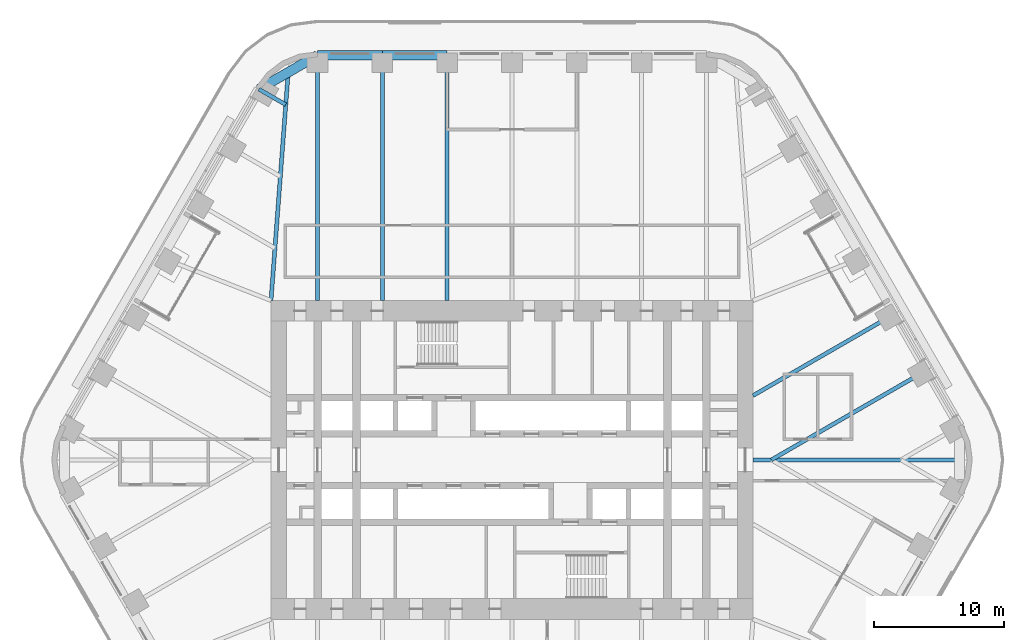
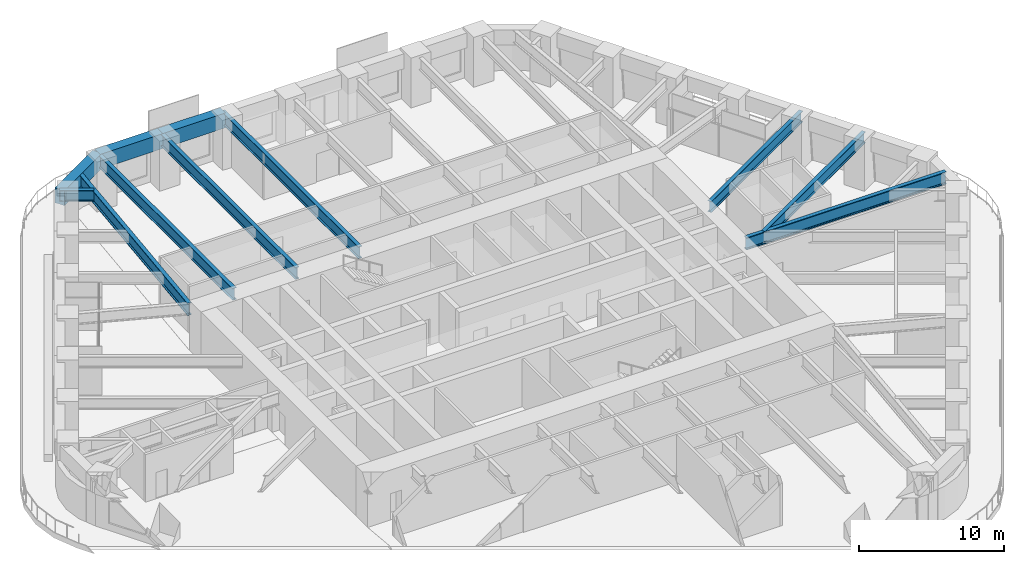
# One storey, part 10 of 24: 11 beams.
"""IFC4 building model written with IfcOpenShell, lengths in metres."""

import ifcopenshell
import ifcopenshell.guid

model = None  # the IFC model being written
_history = None  # IfcOwnerHistory: only IFC2X3 demands one
_inside = {}  # id of a spatial element -> (the spatial element, [elements in it])
_under = {}  # id of a project, library or spatial element -> (it, [spatial elements below it])
_declared = {}  # id of a project -> (the project, [libraries it declares])
_typed = {}  # id of a type object -> (the type object, [elements of that type])
_made_of = {}  # id of a material, layer set ... -> (it, [elements and type objects made of it])


def new_model(schema):
    """Start an empty IFC model of exactly this schema.

    Asked for "IFC4X3", IfcOpenShell would pick the latest addendum, in which some entities
    have other attributes; the version numbers below select the first issue.
    IFC2X3 requires an IfcOwnerHistory on every rooted entity: one is made here for all.
    """
    global model, _history
    if schema == "IFC4X3":
        model = ifcopenshell.file(schema_version=(4, 3, 0, 0))
    else:
        model = ifcopenshell.file(schema=schema)
    _inside.clear()
    _under.clear()
    _declared.clear()
    _typed.clear()
    _made_of.clear()
    _history = None
    if model.schema == "IFC2X3":
        org = make("IfcOrganization", Name="unknown")
        user = make(
            "IfcPersonAndOrganization",
            ThePerson=make("IfcPerson", FamilyName="unknown"),
            TheOrganization=org,
        )
        app = make(
            "IfcApplication",
            ApplicationDeveloper=org,
            Version="unknown",
            ApplicationFullName="unknown",
            ApplicationIdentifier="unknown",
        )
        _history = make(
            "IfcOwnerHistory",
            OwningUser=user,
            OwningApplication=app,
            ChangeAction="ADDED",
            CreationDate=0,
        )
    return model


def make(cls, **values):
    """One entity of the class cls with the attributes given. An attribute that is None is left unset."""
    return model.create_entity(
        cls, **{name: value for name, value in values.items() if value is not None}
    )


def rooted(cls, **values):
    """An entity with a GlobalId (a new one), such as an element, a storey or a relation."""
    return make(cls, GlobalId=ifcopenshell.guid.new(), OwnerHistory=_history, **values)


def si_unit(unit_type, name, prefix=None):
    """IfcSIUnit, for example si_unit("LENGTHUNIT", "METRE", prefix="MILLI")."""
    return make("IfcSIUnit", UnitType=unit_type, Prefix=prefix, Name=name)


def assignment(units):
    """IfcUnitAssignment: the units of a project."""
    return None if units is None else make("IfcUnitAssignment", Units=units)


def point(xyz):
    """IfcCartesianPoint."""
    return None if xyz is None else make("IfcCartesianPoint", Coordinates=xyz)


def direction(xyz):
    """IfcDirection."""
    return None if xyz is None else make("IfcDirection", DirectionRatios=xyz)


def frame(location, z_axis=None, x_axis=None):
    """IfcAxis2Placement3D, a coordinate frame: its origin and axes. An axis left out is left unset."""
    return make(
        "IfcAxis2Placement3D",
        Location=point(location),
        Axis=direction(z_axis),
        RefDirection=direction(x_axis),
    )


def frame_2d(location, x_axis=None):
    """IfcAxis2Placement2D, a coordinate frame in the plane: its origin and x axis."""
    return make(
        "IfcAxis2Placement2D", Location=point(location), RefDirection=direction(x_axis)
    )


def origin():
    """The frame at (0, 0, 0) with its axes left unset."""
    return frame((0.0, 0.0, 0.0))


def origin_2d():
    """The frame at (0, 0) in the plane with its x axis left unset."""
    return frame_2d((0.0, 0.0))


def place(relative_to, where):
    """IfcLocalPlacement: puts the frame where relative to a parent placement (None: the world)."""
    return make(
        "IfcLocalPlacement", PlacementRelTo=relative_to, RelativePlacement=where
    )


def context(
    kind, dimensions, precision=None, world=None, true_north=None, identifier=None
):
    """IfcGeometricRepresentationContext, for example the 3D "Model" context."""
    return make(
        "IfcGeometricRepresentationContext",
        ContextIdentifier=identifier,
        ContextType=kind,
        CoordinateSpaceDimension=dimensions,
        Precision=precision,
        WorldCoordinateSystem=world,
        TrueNorth=true_north,
    )


def subcontext(parent, identifier, kind, view, scale=None):
    """IfcGeometricRepresentationSubContext, for example "Body" below "Model"."""
    return make(
        "IfcGeometricRepresentationSubContext",
        ContextIdentifier=identifier,
        ContextType=kind,
        ParentContext=parent,
        TargetScale=scale,
        TargetView=view,
    )


def project(units=None, contexts=None):
    """IfcProject with its units and contexts."""
    return rooted(
        "IfcProject",
        Name="project",
        RepresentationContexts=contexts,
        UnitsInContext=assignment(units),
    )


def spatial(cls, under=None, at=None, **own):
    """A site, building, storey or space (cls), placed at a placement, below another one or the project."""
    s = rooted(cls, ObjectPlacement=at, **own)
    if under is not None:
        _under.setdefault(under.id(), (under, []))[1].append(s)
    return s


def profile(cls, at=None, kind="AREA", **sizes):
    """A parametric profile (cls). Its sizes go by their IFC names, for example OverallWidth=200.0."""
    return make(cls, ProfileType=kind, Position=at, **sizes)


def rectangle(**sizes):
    """IfcRectangleProfileDef."""
    return profile("IfcRectangleProfileDef", **sizes)


def i_section(**sizes):
    """IfcIShapeProfileDef."""
    return profile("IfcIShapeProfileDef", **sizes)


def extrude(swept, where, along, depth):
    """IfcExtrudedAreaSolid: the profile swept, set in the frame where, extruded along a direction by depth."""
    return make(
        "IfcExtrudedAreaSolid",
        SweptArea=swept,
        Position=where,
        ExtrudedDirection=direction(along),
        Depth=depth,
    )


def shape(context_of_items, identifier, shape_type, items):
    """IfcShapeRepresentation: the items that make up one representation, for example the "Body"."""
    return make(
        "IfcShapeRepresentation",
        ContextOfItems=context_of_items,
        RepresentationIdentifier=identifier,
        RepresentationType=shape_type,
        Items=items,
    )


def material(Name=None, Category=None):
    """IfcMaterial."""
    return make("IfcMaterial", Name=Name, Category=Category)


def material_profile(
    of_material, cross_section, Name=None, Category=None, Priority=None
):
    """IfcMaterialProfile: a cross section and its material."""
    return make(
        "IfcMaterialProfile",
        Name=Name,
        Material=of_material,
        Profile=cross_section,
        Priority=Priority,
        Category=Category,
    )


def profile_set(profiles, Name=None, composite=None):
    """IfcMaterialProfileSet."""
    return make(
        "IfcMaterialProfileSet",
        Name=Name,
        MaterialProfiles=profiles,
        CompositeProfile=composite,
    )


def made_of(thing, what):
    """Note that an element or type object is made of a material, layer set ...; save() writes the relation."""
    if what is not None:
        _made_of.setdefault(what.id(), (what, []))[1].append(thing)
    return thing


def type_object(cls, material=None, **own):
    """A type object (cls), such as IfcWallType, which elements share."""
    return made_of(rooted(cls, **own), material)


def element(
    cls,
    number,
    at=None,
    inside=None,
    cuts=None,
    type_object=None,
    material=None,
    context=None,
    identifier="Body",
    shape_type=None,
    held_by="IfcProductDefinitionShape",
    body=None,
    shapes=None,
    **own,
):
    """One element of the class cls, such as IfcWall. Its Tag is "e" and its number.

    at: its placement. inside: the storey or other place that contains it. cuts: it is an
    opening in that element (IfcRelVoidsElement). A single representation is given by context,
    identifier, shape_type and body (its items); several are given by shapes. held_by: the class
    of the entity that holds the representations. save() writes the other relations.
    """
    e = rooted(cls, Tag="e%d" % number, ObjectPlacement=at, **own)
    if body is not None:
        shapes = [shape(context, identifier, shape_type, body)]
    if shapes is not None:
        e.Representation = make(held_by, Representations=shapes)
    if inside is not None:
        _inside.setdefault(inside.id(), (inside, []))[1].append(e)
    if cuts is not None:
        rooted(
            "IfcRelVoidsElement", RelatingBuildingElement=cuts, RelatedOpeningElement=e
        )
    if type_object is not None:
        _typed.setdefault(type_object.id(), (type_object, []))[1].append(e)
    return made_of(e, material)


def aggregate(whole, parts):
    """IfcRelAggregates: a whole, such as a stair, and the parts it consists of."""
    return rooted("IfcRelAggregates", RelatingObject=whole, RelatedObjects=parts)


def save(model, path):
    """Write the relations noted so far, then the file.

    IfcRelAggregates (storeys below a building ...), IfcRelContainedInSpatialStructure (elements
    in a storey), IfcRelDefinesByType, IfcRelAssociatesMaterial and IfcRelDeclares: one each for
    every whole, place, type object, material and project.
    """
    for whole, parts in _under.values():
        aggregate(whole, parts)
    for where, things in _inside.values():
        rooted(
            "IfcRelContainedInSpatialStructure",
            RelatedElements=things,
            RelatingStructure=where,
        )
    for kind, things in _typed.values():
        rooted("IfcRelDefinesByType", RelatedObjects=things, RelatingType=kind)
    for what, things in _made_of.values():
        rooted("IfcRelAssociatesMaterial", RelatedObjects=things, RelatingMaterial=what)
    for by, libraries in _declared.values():
        rooted("IfcRelDeclares", RelatingContext=by, RelatedDefinitions=libraries)
    model.write(path)


model = new_model("IFC4")

# Units and contexts
model_context = context("Model", 3, precision=1e-05, world=origin(), true_north=direction((0.0, 1.0)))
body_context = subcontext(model_context, "Body", "Model", "MODEL_VIEW")
ifc_project = project(units=[si_unit("LENGTHUNIT", "METRE"), si_unit("AREAUNIT", "SQUARE_METRE"), si_unit("VOLUMEUNIT", "CUBIC_METRE"), si_unit("PLANEANGLEUNIT", "RADIAN"), si_unit("MASSUNIT", "GRAM", prefix="KILO")], contexts=[model_context])

# Site, building, storey
site_placement = place(None, origin())
site = spatial("IfcSite", under=ifc_project, at=site_placement, CompositionType="ELEMENT")
building_placement = place(site_placement, origin())
building = spatial("IfcBuilding", under=site, at=building_placement, Name="Tarfa Lantern Tower", CompositionType="ELEMENT")
storey_placement = place(building_placement, frame((0.0, 0.0, 153.10009765625)))
storey = spatial("IfcBuildingStorey", under=building, at=storey_placement, Name="L34", CompositionType="ELEMENT", Elevation=153.10009765625)

# Beams
ifc_material_1 = material(Name="Concrete C80/95", Category="concrete")
ifc_material_profile_1 = material_profile(ifc_material_1, rectangle(XDim=0.75, YDim=1.25, at=origin_2d()), Name="RC 750x1250")
ifc_profile_set_1 = profile_set([ifc_material_profile_1], Name="Concrete C80/95")
beam_type_1 = type_object("IfcBeamType", Name="EB2 RC 750x1250", PredefinedType="SPANDREL", material=ifc_profile_set_1)
for number, where, z_axis, x_axis, name in (
    (1, (-5.003662109375, 31.219970703125, 3.375), (-1.0, 0.0, 0.0), (0.0, -1.0, 0.0), "Edge beam N4"),
    (2, (-10.00732421875, 31.219970703125, 3.375), (-1.0, 0.0, 0.0), (0.0, -1.0, 0.0), "Edge beam N5"),
):
    element("IfcBeam", number, at=place(storey_placement, frame(where, z_axis=z_axis, x_axis=x_axis)), inside=storey, type_object=beam_type_1, Name=name, PredefinedType="SPANDREL", context=body_context, shape_type="SweptSolid", body=[
        extrude(rectangle(XDim=0.75, YDim=1.25, at=origin_2d()), origin(), (0.0, 0.0, 1.0), 5.003662109375),
    ])
beam_1_placement = place(storey_placement, frame((-15.010986328125, 31.219970703125, 3.375), z_axis=(-0.86604150238, -0.499972115377, 0.0), x_axis=(0.499972115377, -0.86604150238, 0.0)))
element("IfcBeam", 3, at=beam_1_placement, inside=storey, type_object=beam_type_1, Name="Edge beam N6", PredefinedType="SPANDREL", context=body_context, shape_type="SweptSolid", body=[
    extrude(rectangle(XDim=0.75, YDim=1.25, at=origin_2d()), origin(), (0.0, 0.0, 1.0), 5.219970703125),
])
ifc_material_2 = material(Name="Steel S460M", Category="steel")
ifc_material_profile_2 = material_profile(ifc_material_2, i_section(OverallWidth=0.302001953125, OverallDepth=1.008056640625, WebThickness=0.02099609375, FlangeThickness=0.0400390625, FilletRadius=0.030029296875, at=origin_2d()), Name="UB1016x305x349")
ifc_profile_set_2 = profile_set([ifc_material_profile_2], Name="Steel S460M")
beam_type_2 = type_object("IfcBeamType", Name="UB1016x305x349", PredefinedType="BEAM", material=ifc_profile_set_2)
for number, where, z_axis, x_axis, name in (
    (4, (-5.003662109375, 31.219970703125, 3.495849609375), (0.0, -1.0, 0.0), (1.0, 0.0, 0.0), "Floor beam N4"),
    (5, (-10.00732421875, 31.219970703125, 3.495849609375), (0.0, -1.0, 0.0), (1.0, 0.0, 0.0), "Floor beam N5"),
    (6, (-15.010986328125, 31.219970703125, 3.495849609375), (0.0, -1.0, 0.0), (1.0, 0.0, 0.0), "Floor beam N6"),
):
    element("IfcBeam", number, at=place(storey_placement, frame(where, z_axis=z_axis, x_axis=x_axis)), inside=storey, type_object=beam_type_2, Name=name, PredefinedType="BEAM", context=body_context, shape_type="SweptSolid", body=[
        extrude(i_section(OverallWidth=0.302001953125, OverallDepth=1.008056640625, WebThickness=0.02099609375, FlangeThickness=0.0400390625, FilletRadius=0.030029296875, at=origin_2d()), origin(), (0.0, 0.0, 1.0), 18.919921875),
    ])
ifc_material_profile_3 = material_profile(ifc_material_2, i_section(OverallWidth=0.30859375, OverallDepth=1.036376953125, WebThickness=0.030029296875, FlangeThickness=0.05419921875, FilletRadius=0.030029296875, at=origin_2d()), Name="UB1016x305x487")
ifc_profile_set_3 = profile_set([ifc_material_profile_3], Name="Steel S460M")
beam_type_3 = type_object("IfcBeamType", Name="UB1016x305x487", PredefinedType="BEAM", material=ifc_profile_set_3)
beam_2_placement = place(storey_placement, frame((18.60009765625, 0.0, 3.481689453125), z_axis=(1.0, 0.0, 0.0), x_axis=(0.0, 1.0, 0.0)))
element("IfcBeam", 7, at=beam_2_placement, inside=storey, type_object=beam_type_3, Name="Hip girder E", PredefinedType="BEAM", context=body_context, shape_type="SweptSolid", body=[
    extrude(i_section(OverallWidth=0.30859375, OverallDepth=1.036376953125, WebThickness=0.030029296875, FlangeThickness=0.05419921875, FilletRadius=0.030029296875, at=origin_2d()), origin(), (0.0, 0.0, 1.0), 15.94287109375),
])
beam_3_placement = place(storey_placement, frame((-18.60009765625, 12.300048828125, 3.481689453125), z_axis=(0.075211516041, 0.99716760269, 0.0), x_axis=(-0.99716760269, 0.075211516041, 0.0)))
element("IfcBeam", 8, at=beam_3_placement, inside=storey, type_object=beam_type_3, Name="Hip girder NW", PredefinedType="BEAM", context=body_context, shape_type="SweptSolid", body=[
    extrude(i_section(OverallWidth=0.30859375, OverallDepth=1.036376953125, WebThickness=0.030029296875, FlangeThickness=0.05419921875, FilletRadius=0.030029296875, at=origin_2d()), origin(), (0.0, 0.0, 1.0), 17.6650390625),
])
ifc_material_profile_4 = material_profile(ifc_material_2, i_section(OverallWidth=0.305419921875, OverallDepth=0.91845703125, WebThickness=0.017333984375, FlangeThickness=0.02783203125, FilletRadius=0.01904296875, at=origin_2d()), Name="UB914x305x253")
ifc_profile_set_4 = profile_set([ifc_material_profile_4], Name="Steel S460M")
beam_type_4 = type_object("IfcBeamType", Name="UB914x305x253", PredefinedType="BEAM", material=ifc_profile_set_4)
beam_4_placement = place(storey_placement, frame((32.041015625, 6.943359375, 3.540771484375), z_axis=(-0.866023096411, -0.500003996466, 0.0), x_axis=(0.500003996466, -0.866023096411, 0.0)))
element("IfcBeam", 9, at=beam_4_placement, inside=storey, type_object=beam_type_4, Name="Floor beam NE1", PredefinedType="BEAM", context=body_context, shape_type="SweptSolid", body=[
    extrude(i_section(OverallWidth=0.305419921875, OverallDepth=0.91845703125, WebThickness=0.017333984375, FlangeThickness=0.02783203125, FilletRadius=0.01904296875, at=origin_2d()), origin(), (0.0, 0.0, 1.0), 13.88671875),
])
beam_5_placement = place(storey_placement, frame((29.5390625, 11.276611328125, 3.540771484375), z_axis=(-0.866023362995, -0.500003534735, 0.0), x_axis=(0.500003534735, -0.866023362995, 0.0)))
element("IfcBeam", 10, at=beam_5_placement, inside=storey, type_object=beam_type_4, Name="Floor beam NE2", PredefinedType="BEAM", context=body_context, shape_type="SweptSolid", body=[
    extrude(i_section(OverallWidth=0.305419921875, OverallDepth=0.91845703125, WebThickness=0.017333984375, FlangeThickness=0.02783203125, FilletRadius=0.01904296875, at=origin_2d()), origin(), (0.0, 0.0, 1.0), 12.63134765625),
])
beam_6_placement = place(storey_placement, frame((-19.53173828125, 28.610107421875, 3.540771484375), z_axis=(0.865998640954, -0.500046351717, 0.0), x_axis=(0.500046351717, 0.865998640954, 0.0)))
element("IfcBeam", 11, at=beam_6_placement, inside=storey, type_object=beam_type_4, Name="Floor beam NW0", PredefinedType="BEAM", context=body_context, shape_type="SweptSolid", body=[
    extrude(i_section(OverallWidth=0.305419921875, OverallDepth=0.91845703125, WebThickness=0.017333984375, FlangeThickness=0.02783203125, FilletRadius=0.01904296875, at=origin_2d()), origin(), (0.0, 0.0, 1.0), 2.392333984375),
])

save(model, "model.ifc")
